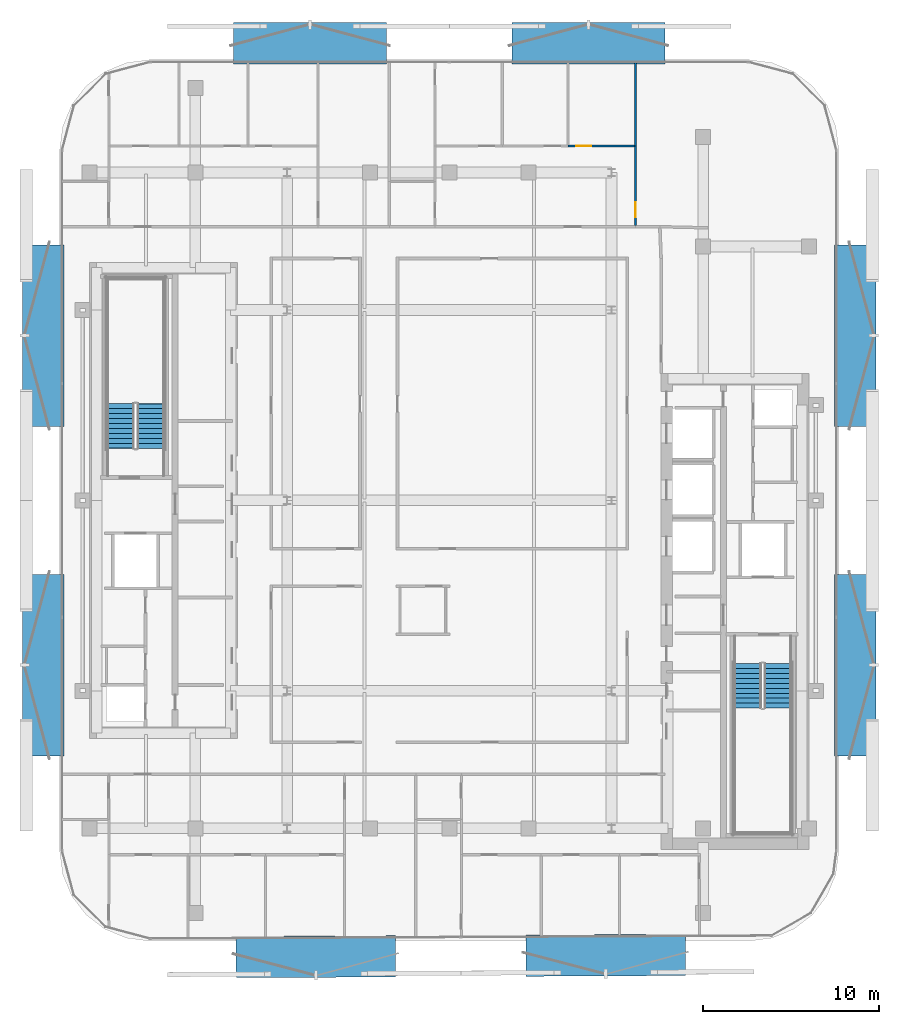
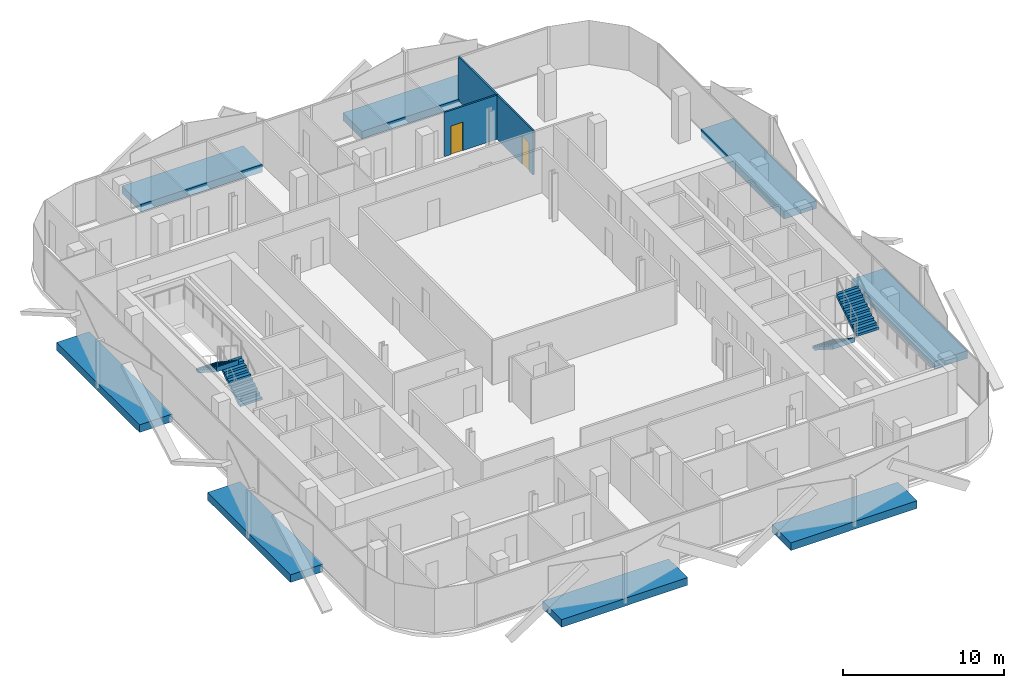
# One storey, part 7 of 14: 8 discrete accessories, 4 stair flights, 3 walls, 2 doors, 2 openings, 2 elements without a shape of their own.
"""IFC4 building model written with IfcOpenShell, lengths in metres."""

from ifc_helpers import new_model, si_unit, direction, frame, frame_2d, origin, origin_2d, place, context, subcontext, project, spatial, polyline, rectangle, outline, extrude, material, layer, layer_set, type_object, element, fill, aggregate, save


model = new_model("IFC4")

# Units and contexts
model_context = context("Model", 3, precision=1e-05, world=origin(), true_north=direction((0.0, 1.0)))
body_context = subcontext(model_context, "Body", "Model", "MODEL_VIEW")
ifc_project = project(units=[si_unit("LENGTHUNIT", "METRE"), si_unit("AREAUNIT", "SQUARE_METRE"), si_unit("VOLUMEUNIT", "CUBIC_METRE"), si_unit("PLANEANGLEUNIT", "RADIAN"), si_unit("MASSUNIT", "GRAM", prefix="KILO")], contexts=[model_context])

# Site, building, storey
site_placement = place(None, origin())
site = spatial("IfcSite", under=ifc_project, at=site_placement, CompositionType="ELEMENT")
building_placement = place(site_placement, origin())
building = spatial("IfcBuilding", under=site, at=building_placement, Name="Khairoan Windgate Tower", CompositionType="ELEMENT")
storey_placement = place(building_placement, frame((0.0, 0.0, 233.199951171875)))
storey = spatial("IfcBuildingStorey", under=building, at=storey_placement, Name="L54", CompositionType="ELEMENT", Elevation=233.199951171875)

# Wall, opening, door
ifc_material_1 = material(Name="Gypsum Stud Partition", Category="gypsum")
ifc_layer_1 = layer(ifc_material_1, 0.1201171875, Name="Gypsum Stud Partition")
ifc_layer_set_1 = layer_set([ifc_layer_1], Name="Gypsum Stud Partition")
wall_type = type_object("IfcWallType", Name="Internal Room Partition Wall", PredefinedType="PARTITIONING", material=ifc_layer_set_1)
wall_1_placement = place(storey_placement, frame((10.56005859375, 15.60009765625, 0.0), z_axis=(0.0, 0.0, 1.0), x_axis=(0.0, 1.0, 0.0)))
wall_1 = element("IfcWall", 1, at=wall_1_placement, inside=storey, type_object=wall_type, Name="L54 Interior Partition 059", PredefinedType="PARTITIONING", context=body_context, shape_type="SweptSolid", body=[
    extrude(rectangle(XDim=4.5, YDim=0.1201171875, at=frame_2d((2.25, 0.0))), origin(), (0.0, 0.0, 1.0), 3.340087890625),
])
opening_1_placement = place(wall_1_placement, frame((0.4599609375, 0.0, 0.0)))
opening_1 = element("IfcOpeningElement", 2, at=opening_1_placement, cuts=wall_1, Name="Opening ID-RM", PredefinedType="OPENING", context=body_context, shape_type="SweptSolid", body=[
    extrude(rectangle(XDim=0.860107421875, YDim=2.14990234375, at=frame_2d((0.43017578125, 1.074951171875))), frame((0.0, 0.070068359375, 0.0), z_axis=(0.0, -1.0, 0.0), x_axis=(1.0, 0.0, 0.0)), (0.0, 0.0, 1.0), 0.14013671875),
])
ifc_material_2 = material(Name="Teak Veneer Timber Leaf", Category="wood")
door_type = type_object("IfcDoorType", Name="Internal Bedroom and Office Door ID-RM 860x2150", OperationType="NOTDEFINED", PredefinedType="DOOR", material=ifc_material_2)
door_1_placement = place(opening_1_placement, origin())
door_1 = element("IfcDoor", 3, at=door_1_placement, inside=storey, type_object=door_type, Name="L54 L54-44-L54-45 Door", OperationType="SINGLE_SWING_LEFT", OverallHeight=2.14990234375, OverallWidth=0.860107421875, PredefinedType="DOOR", context=body_context, shape_type="SweptSolid", body=[
    extrude(rectangle(XDim=0.860107421875, YDim=2.14990234375, at=frame_2d((0.43017578125, 1.074951171875))), frame((0.0, 0.02490234375, 0.0), z_axis=(0.0, -1.0, 0.0), x_axis=(1.0, 0.0, 0.0)), (0.0, 0.0, 1.0), 0.050048828125),
])
fill(opening_1, door_1)

wall_2_placement = place(storey_placement, frame((6.742919921875, 20.10009765625, 0.0), z_axis=(0.0, 0.0, 1.0), x_axis=(1.0, 0.0, 0.0)))
wall_2 = element("IfcWall", 4, at=wall_2_placement, inside=storey, type_object=wall_type, Name="L54 Interior Partition 062", PredefinedType="PARTITIONING", context=body_context, shape_type="SweptSolid", body=[
    extrude(rectangle(XDim=3.757080078125, YDim=0.1201171875, at=frame_2d((1.87841796875, 0.0))), origin(), (0.0, 0.0, 1.0), 3.340087890625),
])
opening_2_placement = place(wall_2_placement, frame((0.4599609375, 0.0, 0.0)))
opening_2 = element("IfcOpeningElement", 5, at=opening_2_placement, cuts=wall_2, Name="Opening ID-RM", PredefinedType="OPENING", context=body_context, shape_type="SweptSolid", body=[
    extrude(rectangle(XDim=0.860107421875, YDim=2.14990234375, at=frame_2d((0.43017578125, 1.074951171875))), frame((0.0, 0.070068359375, 0.0), z_axis=(0.0, -1.0, 0.0), x_axis=(1.0, 0.0, 0.0)), (0.0, 0.0, 1.0), 0.14013671875),
])
door_2_placement = place(opening_2_placement, origin())
door_2 = element("IfcDoor", 6, at=door_2_placement, inside=storey, type_object=door_type, Name="L54 L54-44-L54-48 Door", OperationType="SINGLE_SWING_RIGHT", OverallHeight=2.14990234375, OverallWidth=0.860107421875, PredefinedType="DOOR", context=body_context, shape_type="SweptSolid", body=[
    extrude(rectangle(XDim=0.860107421875, YDim=2.14990234375, at=frame_2d((0.43017578125, 1.074951171875))), frame((0.0, 0.02490234375, 0.0), z_axis=(0.0, -1.0, 0.0), x_axis=(1.0, 0.0, 0.0)), (0.0, 0.0, 1.0), 0.050048828125),
])
fill(opening_2, door_2)

# Wall
wall_3_placement = place(storey_placement, frame((10.56005859375, 20.10009765625, 0.0), z_axis=(0.0, 0.0, 1.0), x_axis=(0.0, 1.0, 0.0)))
element("IfcWall", 7, at=wall_3_placement, inside=storey, type_object=wall_type, Name="L54 Interior Partition 063", PredefinedType="PARTITIONING", context=body_context, shape_type="SweptSolid", body=[
    extrude(rectangle(XDim=4.7548828125, YDim=0.1201171875, at=frame_2d((2.37744140625, 0.0))), origin(), (0.0, 0.0, 1.0), 3.340087890625),
])

# Stair, stair flights
ifc_material_3 = material(Name="Concrete C40/50", Category="concrete")
stair_type = type_object("IfcStairType", Name="Tower Core Dog-Leg Stair ST-T1 1560mm", PredefinedType="HALF_TURN_STAIR", material=ifc_material_3)
stair_1_placement = place(storey_placement, origin())
stair_1 = element("IfcStair", 8, at=stair_1_placement, inside=storey, type_object=stair_type, Name="L54 Stair ST1", PredefinedType="HALF_TURN_STAIR")
ifc_material_4 = material(Name="Concrete C40/50", Category="concrete")
ifc_layer_2 = layer(ifc_material_4, 0.14990234375, Name="Concrete C40/50")
ifc_layer_set_2 = layer_set([ifc_layer_2], Name="Concrete C40/50")
stair_flight_type = type_object("IfcStairFlightType", Name="Tower Core Stair Flight STF-1560", PredefinedType="STRAIGHT", material=ifc_layer_set_2)
stair_flight_1_placement = place(storey_placement, frame((16.929931640625, -9.260009765625, 0.0), z_axis=(0.0, 0.0, 1.0), x_axis=(0.0, -1.0, 0.0)))
stair_flight_1 = element("IfcStairFlight", 9, at=stair_flight_1_placement, type_object=stair_flight_type, Name="ST1 flight 1", NumberOfRisers=10, NumberOfTreads=9, PredefinedType="STRAIGHT", RiserHeight=0.18, TreadLength=0.28, context=body_context, shape_type="SweptSolid", body=[
    extrude(outline(polyline([(-0.00390625, 0.0), (-0.00390625, 0.179931640625), (0.0, 0.179931640625), (0.280029296875, 0.179931640625), (0.280029296875, 0.360107421875), (0.56005859375, 0.360107421875), (0.56005859375, 0.5400390625), (0.840087890625, 0.5400390625), (0.840087890625, 0.719970703125), (1.1201171875, 0.719970703125), (1.1201171875, 0.89990234375), (1.39990234375, 0.89990234375), (1.39990234375, 1.080078125), (1.679931640625, 1.080078125), (1.679931640625, 1.260009765625), (1.9599609375, 1.260009765625), (1.9599609375, 1.43994140625), (2.239990234375, 1.43994140625), (2.239990234375, 1.6201171875), (2.52001953125, 1.6201171875), (2.52001953125, 1.800048828125), (2.52392578125, 1.800048828125), (2.52392578125, 1.44189453125), (0.277099609375, 0.0), (-0.00390625, 0.0)])), frame((0.0, 0.780029296875, 0.0), z_axis=(0.0, -1.0, 0.0), x_axis=(1.0, 0.0, 0.0)), (0.0, 0.0, 1.0), 1.56005859375),
])
stair_flight_2_placement = place(storey_placement, frame((18.639892578125, -11.780029296875, 1.800048828125), z_axis=(0.0, 0.0, 1.0), x_axis=(0.0, 1.0, 0.0)))
stair_flight_2 = element("IfcStairFlight", 10, at=stair_flight_2_placement, type_object=stair_flight_type, Name="ST1 flight 2", NumberOfRisers=10, NumberOfTreads=9, PredefinedType="STRAIGHT", RiserHeight=0.18, TreadLength=0.28, context=body_context, shape_type="SweptSolid", body=[
    extrude(outline(polyline([(-0.00390625, 0.0), (-0.00390625, 0.179931640625), (0.0, 0.179931640625), (0.280029296875, 0.179931640625), (0.280029296875, 0.360107421875), (0.56005859375, 0.360107421875), (0.56005859375, 0.5400390625), (0.840087890625, 0.5400390625), (0.840087890625, 0.719970703125), (1.1201171875, 0.719970703125), (1.1201171875, 0.89990234375), (1.39990234375, 0.89990234375), (1.39990234375, 1.080078125), (1.679931640625, 1.080078125), (1.679931640625, 1.260009765625), (1.9599609375, 1.260009765625), (1.9599609375, 1.43994140625), (2.239990234375, 1.43994140625), (2.239990234375, 1.6201171875), (2.52001953125, 1.6201171875), (2.52001953125, 1.800048828125), (2.52392578125, 1.800048828125), (2.52392578125, 1.44189453125), (0.277099609375, 0.0), (-0.00390625, 0.0)])), frame((0.0, 0.780029296875, 0.0), z_axis=(0.0, -1.0, 0.0), x_axis=(1.0, 0.0, 0.0)), (0.0, 0.0, 1.0), 1.56005859375),
])
aggregate(stair_1, [stair_flight_1, stair_flight_2])

stair_2_placement = place(storey_placement, origin())
stair_2 = element("IfcStair", 11, at=stair_2_placement, inside=storey, type_object=stair_type, Name="L54 Stair ST2", PredefinedType="HALF_TURN_STAIR")
stair_flight_3_placement = place(storey_placement, frame((-16.929931640625, 2.9599609375, 0.0), z_axis=(0.0, 0.0, 1.0), x_axis=(0.0, 1.0, 0.0)))
stair_flight_3 = element("IfcStairFlight", 12, at=stair_flight_3_placement, type_object=stair_flight_type, Name="ST2 flight 1", NumberOfRisers=10, NumberOfTreads=9, PredefinedType="STRAIGHT", RiserHeight=0.18, TreadLength=0.28, context=body_context, shape_type="SweptSolid", body=[
    extrude(outline(polyline([(-0.00390625, 0.0), (-0.00390625, 0.179931640625), (0.0, 0.179931640625), (0.280029296875, 0.179931640625), (0.280029296875, 0.360107421875), (0.56005859375, 0.360107421875), (0.56005859375, 0.5400390625), (0.840087890625, 0.5400390625), (0.840087890625, 0.719970703125), (1.1201171875, 0.719970703125), (1.1201171875, 0.89990234375), (1.39990234375, 0.89990234375), (1.39990234375, 1.080078125), (1.679931640625, 1.080078125), (1.679931640625, 1.260009765625), (1.9599609375, 1.260009765625), (1.9599609375, 1.43994140625), (2.239990234375, 1.43994140625), (2.239990234375, 1.6201171875), (2.52001953125, 1.6201171875), (2.52001953125, 1.800048828125), (2.52392578125, 1.800048828125), (2.52392578125, 1.44189453125), (0.277099609375, 0.0), (-0.00390625, 0.0)])), frame((0.0, 0.780029296875, 0.0), z_axis=(0.0, -1.0, 0.0), x_axis=(1.0, 0.0, 0.0)), (0.0, 0.0, 1.0), 1.56005859375),
])
stair_flight_4_placement = place(storey_placement, frame((-18.639892578125, 5.47998046875, 1.800048828125), z_axis=(0.0, 0.0, 1.0), x_axis=(0.0, -1.0, 0.0)))
stair_flight_4 = element("IfcStairFlight", 13, at=stair_flight_4_placement, type_object=stair_flight_type, Name="ST2 flight 2", NumberOfRisers=10, NumberOfTreads=9, PredefinedType="STRAIGHT", RiserHeight=0.18, TreadLength=0.28, context=body_context, shape_type="SweptSolid", body=[
    extrude(outline(polyline([(-0.00390625, 0.0), (-0.00390625, 0.179931640625), (0.0, 0.179931640625), (0.280029296875, 0.179931640625), (0.280029296875, 0.360107421875), (0.56005859375, 0.360107421875), (0.56005859375, 0.5400390625), (0.840087890625, 0.5400390625), (0.840087890625, 0.719970703125), (1.1201171875, 0.719970703125), (1.1201171875, 0.89990234375), (1.39990234375, 0.89990234375), (1.39990234375, 1.080078125), (1.679931640625, 1.080078125), (1.679931640625, 1.260009765625), (1.9599609375, 1.260009765625), (1.9599609375, 1.43994140625), (2.239990234375, 1.43994140625), (2.239990234375, 1.6201171875), (2.52001953125, 1.6201171875), (2.52001953125, 1.800048828125), (2.52392578125, 1.800048828125), (2.52392578125, 1.44189453125), (0.277099609375, 0.0), (-0.00390625, 0.0)])), frame((0.0, 0.780029296875, 0.0), z_axis=(0.0, -1.0, 0.0), x_axis=(1.0, 0.0, 0.0)), (0.0, 0.0, 1.0), 1.56005859375),
])
aggregate(stair_2, [stair_flight_3, stair_flight_4])

# Discrete accessories
ifc_material_5 = material(Name="Steel S355", Category="steel")
discrete_accessory_type = type_object("IfcDiscreteAccessoryType", Name="Solar Screen Outrigger Slab Bracket SSB-1", PredefinedType="BRACKET", material=ifc_material_5)
for number, where, z_axis, x_axis, name in (
    (14, (8.8701171875, -25.80517578125, -0.419921875), (0.0, 0.0, 1.0), (-0.999988059021, -0.004886902454, 0.0), "L54 Solar Screen Outrigger Bracket 361"),
    (15, (-7.567138671875, -25.884521484375, -0.419921875), (0.0, 0.0, 1.0), (-0.999988059021, -0.004886902454, 0.0), "L54 Solar Screen Outrigger Bracket 362"),
):
    element("IfcDiscreteAccessory", number, at=place(storey_placement, frame(where, z_axis=z_axis, x_axis=x_axis)), inside=storey, type_object=discrete_accessory_type, Name=name, PredefinedType="BRACKET", context=body_context, shape_type="SweptSolid", body=[
        extrude(rectangle(XDim=9.041015625, YDim=2.340087890625, at=origin_2d()), origin(), (0.0, 0.0, 1.0), 0.580078125),
    ])
for number, where, z_axis, x_axis, name in (
    (16, (-23.030029296875, -9.345458984375, -0.419921875), (0.0, 0.0, 1.0), (0.0, 1.0, 0.0), "L54 Solar Screen Outrigger Bracket 363"),
    (17, (-23.030029296875, 9.345458984375, -0.419921875), (0.0, 0.0, 1.0), (0.0, 1.0, 0.0), "L54 Solar Screen Outrigger Bracket 364"),
):
    element("IfcDiscreteAccessory", number, at=place(storey_placement, frame(where, z_axis=z_axis, x_axis=x_axis)), inside=storey, type_object=discrete_accessory_type, Name=name, PredefinedType="BRACKET", context=body_context, shape_type="SweptSolid", body=[
        extrude(rectangle(XDim=10.280029296875, YDim=2.340087890625, at=origin_2d()), origin(), (0.0, 0.0, 1.0), 0.580078125),
    ])
for number, where, z_axis, x_axis, name in (
    (18, (-7.8955078125, 25.929931640625, -0.419921875), (0.0, 0.0, 1.0), (1.0, 0.0, 0.0), "L54 Solar Screen Outrigger Bracket 365"),
    (19, (7.8955078125, 25.929931640625, -0.419921875), (0.0, 0.0, 1.0), (1.0, 0.0, 0.0), "L54 Solar Screen Outrigger Bracket 366"),
):
    element("IfcDiscreteAccessory", number, at=place(storey_placement, frame(where, z_axis=z_axis, x_axis=x_axis)), inside=storey, type_object=discrete_accessory_type, Name=name, PredefinedType="BRACKET", context=body_context, shape_type="SweptSolid", body=[
        extrude(rectangle(XDim=8.68505859375, YDim=2.340087890625, at=origin_2d()), origin(), (0.0, 0.0, 1.0), 0.580078125),
    ])
for number, where, z_axis, x_axis, name in (
    (20, (23.030029296875, 9.345458984375, -0.419921875), (0.0, 0.0, 1.0), (0.0, -1.0, 0.0), "L54 Solar Screen Outrigger Bracket 367"),
    (21, (23.030029296875, -9.345458984375, -0.419921875), (0.0, 0.0, 1.0), (0.0, -1.0, 0.0), "L54 Solar Screen Outrigger Bracket 368"),
):
    element("IfcDiscreteAccessory", number, at=place(storey_placement, frame(where, z_axis=z_axis, x_axis=x_axis)), inside=storey, type_object=discrete_accessory_type, Name=name, PredefinedType="BRACKET", context=body_context, shape_type="SweptSolid", body=[
        extrude(rectangle(XDim=10.280029296875, YDim=2.340087890625, at=origin_2d()), origin(), (0.0, 0.0, 1.0), 0.580078125),
    ])

save(model, "model.ifc")
